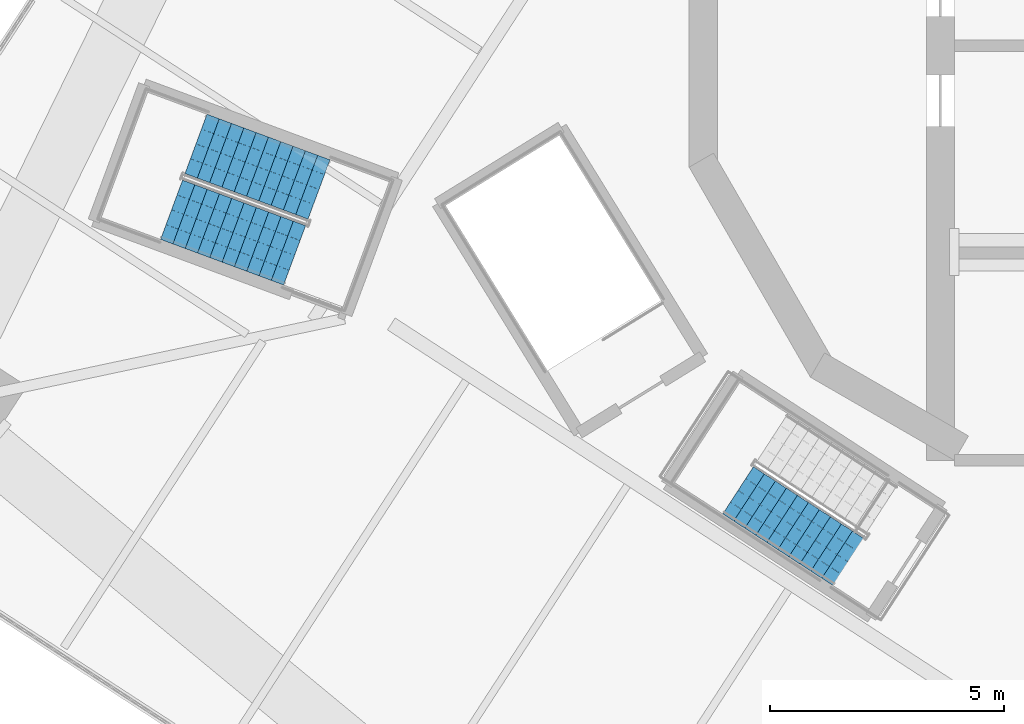
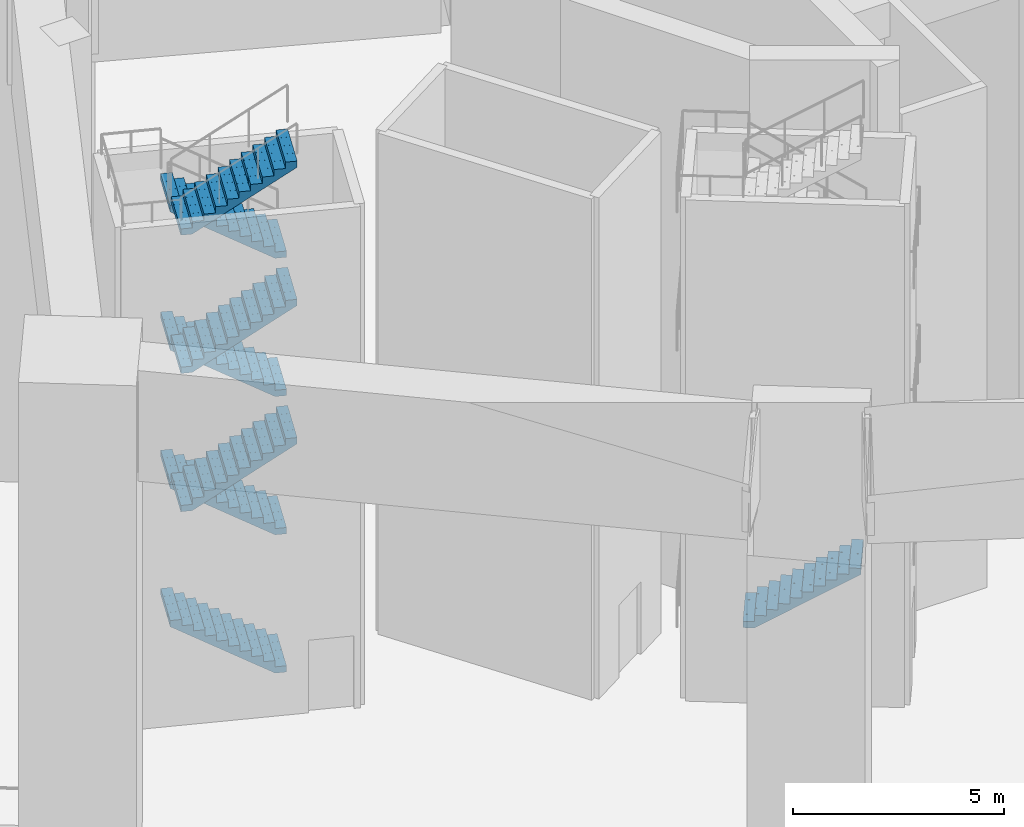
# One storey, part 5 of 16: 8 stair flights, 2 elements without a shape of their own.
"""IFC4 building model written with IfcOpenShell, lengths in metres."""

from ifc_helpers import new_model, si_unit, direction, frame, origin, place, context, subcontext, project, spatial, polyline, outline, extrude, material, type_object, element, aggregate, save


model = new_model("IFC4")

# Units and contexts
model_context = context("Model", 3, precision=1e-05, world=origin(), true_north=direction((0.0, 1.0)))
body_context = subcontext(model_context, "Body", "Model", "MODEL_VIEW")
ifc_project = project(units=[si_unit("LENGTHUNIT", "METRE"), si_unit("AREAUNIT", "SQUARE_METRE"), si_unit("VOLUMEUNIT", "CUBIC_METRE"), si_unit("PLANEANGLEUNIT", "RADIAN"), si_unit("MASSUNIT", "GRAM", prefix="KILO")], contexts=[model_context])

# Site, building, storey
site_placement = place(None, origin())
site = spatial("IfcSite", under=ifc_project, at=site_placement, CompositionType="ELEMENT")
building_placement = place(site_placement, origin())
building = spatial("IfcBuilding", under=site, at=building_placement, Name="Cantera Rosa Tower", CompositionType="ELEMENT")
storey_placement = place(building_placement, frame((0.0, 0.0, 290.10009765625)))
storey = spatial("IfcBuildingStorey", under=building, at=storey_placement, Name="L66", CompositionType="ELEMENT", Elevation=290.10009765625)

# Stair, stair flight
ifc_material_1 = material(Name="Concrete C35/45", Category="concrete")
stair_type_1 = type_object("IfcStairType", Name="EXIT STAIR 1200 DOGLEG", PredefinedType="HALF_TURN_STAIR", material=ifc_material_1)
stair_1_placement = place(storey_placement, origin())
stair_1 = element("IfcStair", 1, at=stair_1_placement, inside=storey, type_object=stair_type_1, Name="L66 ST-64", PredefinedType="HALF_TURN_STAIR")
ifc_material_2 = material(Name="Concrete C35/45", Category="concrete")
stair_flight_type_1 = type_object("IfcStairFlightType", Name="STAIR FLIGHT 1200 R88x182", PredefinedType="STRAIGHT", material=ifc_material_2)
stair_flight_1_placement = place(storey_placement, frame((-8.615966796875, -9.4853515625, 2.0), z_axis=(0.0, 0.0, 1.0), x_axis=(0.838670567945, -0.544639035015, 0.0)))
stair_flight_1 = element("IfcStairFlight", 2, at=stair_flight_1_placement, type_object=stair_flight_type_1, Name="ST-64 flight 2", NumberOfRisers=11, NumberOfTreads=10, PredefinedType="STRAIGHT", RiserHeight=0.181818182, TreadLength=0.28, context=body_context, shape_type="SweptSolid", body=[
    extrude(outline(polyline([(0.0, 0.0), (0.0, 0.181884765625), (0.280029296875, 0.181884765625), (0.280029296875, 0.363525390625), (0.56005859375, 0.363525390625), (0.56005859375, 0.54541015625), (0.840087890625, 0.54541015625), (0.840087890625, 0.727294921875), (1.1201171875, 0.727294921875), (1.1201171875, 0.9091796875), (1.39990234375, 0.9091796875), (1.39990234375, 1.0908203125), (1.679931640625, 1.0908203125), (1.679931640625, 1.272705078125), (1.9599609375, 1.272705078125), (1.9599609375, 1.45458984375), (2.239990234375, 1.45458984375), (2.239990234375, 1.636474609375), (2.52001953125, 1.636474609375), (2.52001953125, 1.818115234375), (2.800048828125, 1.818115234375), (2.800048828125, 2.0), (2.800048828125, 1.639404296875), (0.275146484375, 0.0), (0.0, 0.0)])), frame((0.0, 0.60009765625, 0.0), z_axis=(0.0, -1.0, 0.0), x_axis=(1.0, 0.0, 0.0)), (0.0, 0.0, 1.0), 0.298583984375),
    extrude(outline(polyline([(0.0, 0.0), (0.0, 0.181884765625), (0.280029296875, 0.181884765625), (0.280029296875, 0.363525390625), (0.56005859375, 0.363525390625), (0.56005859375, 0.54541015625), (0.840087890625, 0.54541015625), (0.840087890625, 0.727294921875), (1.1201171875, 0.727294921875), (1.1201171875, 0.9091796875), (1.39990234375, 0.9091796875), (1.39990234375, 1.0908203125), (1.679931640625, 1.0908203125), (1.679931640625, 1.272705078125), (1.9599609375, 1.272705078125), (1.9599609375, 1.45458984375), (2.239990234375, 1.45458984375), (2.239990234375, 1.636474609375), (2.52001953125, 1.636474609375), (2.52001953125, 1.818115234375), (2.800048828125, 1.818115234375), (2.800048828125, 2.0), (2.800048828125, 1.639404296875), (0.275146484375, 0.0), (0.0, 0.0)])), frame((0.0, 0.29931640625, 0.0), z_axis=(0.0, -1.0, 0.0), x_axis=(1.0, 0.0, 0.0)), (0.0, 0.0, 1.0), 0.298583984375),
    extrude(outline(polyline([(0.0, 0.0), (0.0, 0.181884765625), (0.280029296875, 0.181884765625), (0.280029296875, 0.363525390625), (0.56005859375, 0.363525390625), (0.56005859375, 0.54541015625), (0.840087890625, 0.54541015625), (0.840087890625, 0.727294921875), (1.1201171875, 0.727294921875), (1.1201171875, 0.9091796875), (1.39990234375, 0.9091796875), (1.39990234375, 1.0908203125), (1.679931640625, 1.0908203125), (1.679931640625, 1.272705078125), (1.9599609375, 1.272705078125), (1.9599609375, 1.45458984375), (2.239990234375, 1.45458984375), (2.239990234375, 1.636474609375), (2.52001953125, 1.636474609375), (2.52001953125, 1.818115234375), (2.800048828125, 1.818115234375), (2.800048828125, 2.0), (2.800048828125, 1.639404296875), (0.275146484375, 0.0), (0.0, 0.0)])), frame((0.0, -0.0009765625, 0.0), z_axis=(0.0, -1.0, 0.0), x_axis=(1.0, 0.0, 0.0)), (0.0, 0.0, 1.0), 0.298583984375),
    extrude(outline(polyline([(0.0, 0.0), (0.0, 0.181884765625), (0.280029296875, 0.181884765625), (0.280029296875, 0.363525390625), (0.56005859375, 0.363525390625), (0.56005859375, 0.54541015625), (0.840087890625, 0.54541015625), (0.840087890625, 0.727294921875), (1.1201171875, 0.727294921875), (1.1201171875, 0.9091796875), (1.39990234375, 0.9091796875), (1.39990234375, 1.0908203125), (1.679931640625, 1.0908203125), (1.679931640625, 1.272705078125), (1.9599609375, 1.272705078125), (1.9599609375, 1.45458984375), (2.239990234375, 1.45458984375), (2.239990234375, 1.636474609375), (2.52001953125, 1.636474609375), (2.52001953125, 1.818115234375), (2.800048828125, 1.818115234375), (2.800048828125, 2.0), (2.800048828125, 1.639404296875), (0.275146484375, 0.0), (0.0, 0.0)])), frame((0.0, -0.3017578125, 0.0), z_axis=(0.0, -1.0, 0.0), x_axis=(1.0, 0.0, 0.0)), (0.0, 0.0, 1.0), 0.298583984375),
])
aggregate(stair_1, [stair_flight_1])

# Stair, stair flights
ifc_material_3 = material(Name="Concrete C35/45", Category="concrete")
stair_type_2 = type_object("IfcStairType", Name="EXIT STAIR 1350 DOGLEG", PredefinedType="HALF_TURN_STAIR", material=ifc_material_3)
stair_2_placement = place(storey_placement, origin())
stair_2 = element("IfcStair", 3, at=stair_2_placement, inside=storey, type_object=stair_type_2, Name="L66 ST-63", PredefinedType="HALF_TURN_STAIR")
ifc_material_4 = material(Name="Concrete C35/45", Category="concrete")
stair_flight_type_2 = type_object("IfcStairFlightType", Name="STAIR FLIGHT 1350 R88x182", PredefinedType="STRAIGHT", material=ifc_material_4)
stair_flight_2_placement = place(storey_placement, frame((-17.55908203125, -3.064453125, 0.0), z_axis=(0.0, 0.0, 1.0), x_axis=(-0.937686938944, 0.347481229039, 0.0)))
stair_flight_2 = element("IfcStairFlight", 4, at=stair_flight_2_placement, type_object=stair_flight_type_2, Name="ST-63 flight 1", NumberOfRisers=11, NumberOfTreads=10, PredefinedType="STRAIGHT", RiserHeight=0.181818182, TreadLength=0.28, context=body_context, shape_type="SweptSolid", body=[
    extrude(outline(polyline([(0.0, 0.0), (0.0, 0.181884765625), (0.280029296875, 0.181884765625), (0.280029296875, 0.363525390625), (0.56005859375, 0.363525390625), (0.56005859375, 0.54541015625), (0.840087890625, 0.54541015625), (0.840087890625, 0.727294921875), (1.1201171875, 0.727294921875), (1.1201171875, 0.9091796875), (1.39990234375, 0.9091796875), (1.39990234375, 1.0908203125), (1.679931640625, 1.0908203125), (1.679931640625, 1.272705078125), (1.9599609375, 1.272705078125), (1.9599609375, 1.45458984375), (2.239990234375, 1.45458984375), (2.239990234375, 1.636474609375), (2.52001953125, 1.636474609375), (2.52001953125, 1.818115234375), (2.800048828125, 1.818115234375), (2.800048828125, 2.0), (2.800048828125, 1.639404296875), (0.275146484375, 0.0), (0.0, 0.0)])), frame((0.0, 0.675048828125, 0.0), z_axis=(0.0, -1.0, 0.0), x_axis=(1.0, 0.0, 0.0)), (0.0, 0.0, 1.0), 0.3359375),
    extrude(outline(polyline([(0.0, 0.0), (0.0, 0.181884765625), (0.280029296875, 0.181884765625), (0.280029296875, 0.363525390625), (0.56005859375, 0.363525390625), (0.56005859375, 0.54541015625), (0.840087890625, 0.54541015625), (0.840087890625, 0.727294921875), (1.1201171875, 0.727294921875), (1.1201171875, 0.9091796875), (1.39990234375, 0.9091796875), (1.39990234375, 1.0908203125), (1.679931640625, 1.0908203125), (1.679931640625, 1.272705078125), (1.9599609375, 1.272705078125), (1.9599609375, 1.45458984375), (2.239990234375, 1.45458984375), (2.239990234375, 1.636474609375), (2.52001953125, 1.636474609375), (2.52001953125, 1.818115234375), (2.800048828125, 1.818115234375), (2.800048828125, 2.0), (2.800048828125, 1.639404296875), (0.275146484375, 0.0), (0.0, 0.0)])), frame((0.0, 0.337158203125, 0.0), z_axis=(0.0, -1.0, 0.0), x_axis=(1.0, 0.0, 0.0)), (0.0, 0.0, 1.0), 0.3359375),
    extrude(outline(polyline([(0.0, 0.0), (0.0, 0.181884765625), (0.280029296875, 0.181884765625), (0.280029296875, 0.363525390625), (0.56005859375, 0.363525390625), (0.56005859375, 0.54541015625), (0.840087890625, 0.54541015625), (0.840087890625, 0.727294921875), (1.1201171875, 0.727294921875), (1.1201171875, 0.9091796875), (1.39990234375, 0.9091796875), (1.39990234375, 1.0908203125), (1.679931640625, 1.0908203125), (1.679931640625, 1.272705078125), (1.9599609375, 1.272705078125), (1.9599609375, 1.45458984375), (2.239990234375, 1.45458984375), (2.239990234375, 1.636474609375), (2.52001953125, 1.636474609375), (2.52001953125, 1.818115234375), (2.800048828125, 1.818115234375), (2.800048828125, 2.0), (2.800048828125, 1.639404296875), (0.275146484375, 0.0), (0.0, 0.0)])), frame((0.0, -0.000732421875, 0.0), z_axis=(0.0, -1.0, 0.0), x_axis=(1.0, 0.0, 0.0)), (0.0, 0.0, 1.0), 0.3359375),
    extrude(outline(polyline([(0.0, 0.0), (0.0, 0.181884765625), (0.280029296875, 0.181884765625), (0.280029296875, 0.363525390625), (0.56005859375, 0.363525390625), (0.56005859375, 0.54541015625), (0.840087890625, 0.54541015625), (0.840087890625, 0.727294921875), (1.1201171875, 0.727294921875), (1.1201171875, 0.9091796875), (1.39990234375, 0.9091796875), (1.39990234375, 1.0908203125), (1.679931640625, 1.0908203125), (1.679931640625, 1.272705078125), (1.9599609375, 1.272705078125), (1.9599609375, 1.45458984375), (2.239990234375, 1.45458984375), (2.239990234375, 1.636474609375), (2.52001953125, 1.636474609375), (2.52001953125, 1.818115234375), (2.800048828125, 1.818115234375), (2.800048828125, 2.0), (2.800048828125, 1.639404296875), (0.275146484375, 0.0), (0.0, 0.0)])), frame((0.0, -0.338623046875, 0.0), z_axis=(0.0, -1.0, 0.0), x_axis=(1.0, 0.0, 0.0)), (0.0, 0.0, 1.0), 0.3359375),
])
stair_flight_3_placement = place(storey_placement, frame((-17.55908203125, -3.064453125, 4.0), z_axis=(0.0, 0.0, 1.0), x_axis=(-0.937686938944, 0.347481229039, 0.0)))
stair_flight_3 = element("IfcStairFlight", 5, at=stair_flight_3_placement, type_object=stair_flight_type_2, Name="ST-63 flight 3", NumberOfRisers=11, NumberOfTreads=10, PredefinedType="STRAIGHT", RiserHeight=0.181818182, TreadLength=0.28, context=body_context, shape_type="SweptSolid", body=[
    extrude(outline(polyline([(0.0, 0.0), (0.0, 0.181884765625), (0.280029296875, 0.181884765625), (0.280029296875, 0.363525390625), (0.56005859375, 0.363525390625), (0.56005859375, 0.54541015625), (0.840087890625, 0.54541015625), (0.840087890625, 0.727294921875), (1.1201171875, 0.727294921875), (1.1201171875, 0.9091796875), (1.39990234375, 0.9091796875), (1.39990234375, 1.0908203125), (1.679931640625, 1.0908203125), (1.679931640625, 1.272705078125), (1.9599609375, 1.272705078125), (1.9599609375, 1.45458984375), (2.239990234375, 1.45458984375), (2.239990234375, 1.636474609375), (2.52001953125, 1.636474609375), (2.52001953125, 1.818115234375), (2.800048828125, 1.818115234375), (2.800048828125, 2.0), (2.800048828125, 1.639404296875), (0.275146484375, 0.0), (0.0, 0.0)])), frame((0.0, 0.675048828125, 0.0), z_axis=(0.0, -1.0, 0.0), x_axis=(1.0, 0.0, 0.0)), (0.0, 0.0, 1.0), 0.3359375),
    extrude(outline(polyline([(0.0, 0.0), (0.0, 0.181884765625), (0.280029296875, 0.181884765625), (0.280029296875, 0.363525390625), (0.56005859375, 0.363525390625), (0.56005859375, 0.54541015625), (0.840087890625, 0.54541015625), (0.840087890625, 0.727294921875), (1.1201171875, 0.727294921875), (1.1201171875, 0.9091796875), (1.39990234375, 0.9091796875), (1.39990234375, 1.0908203125), (1.679931640625, 1.0908203125), (1.679931640625, 1.272705078125), (1.9599609375, 1.272705078125), (1.9599609375, 1.45458984375), (2.239990234375, 1.45458984375), (2.239990234375, 1.636474609375), (2.52001953125, 1.636474609375), (2.52001953125, 1.818115234375), (2.800048828125, 1.818115234375), (2.800048828125, 2.0), (2.800048828125, 1.639404296875), (0.275146484375, 0.0), (0.0, 0.0)])), frame((0.0, 0.337158203125, 0.0), z_axis=(0.0, -1.0, 0.0), x_axis=(1.0, 0.0, 0.0)), (0.0, 0.0, 1.0), 0.3359375),
    extrude(outline(polyline([(0.0, 0.0), (0.0, 0.181884765625), (0.280029296875, 0.181884765625), (0.280029296875, 0.363525390625), (0.56005859375, 0.363525390625), (0.56005859375, 0.54541015625), (0.840087890625, 0.54541015625), (0.840087890625, 0.727294921875), (1.1201171875, 0.727294921875), (1.1201171875, 0.9091796875), (1.39990234375, 0.9091796875), (1.39990234375, 1.0908203125), (1.679931640625, 1.0908203125), (1.679931640625, 1.272705078125), (1.9599609375, 1.272705078125), (1.9599609375, 1.45458984375), (2.239990234375, 1.45458984375), (2.239990234375, 1.636474609375), (2.52001953125, 1.636474609375), (2.52001953125, 1.818115234375), (2.800048828125, 1.818115234375), (2.800048828125, 2.0), (2.800048828125, 1.639404296875), (0.275146484375, 0.0), (0.0, 0.0)])), frame((0.0, -0.000732421875, 0.0), z_axis=(0.0, -1.0, 0.0), x_axis=(1.0, 0.0, 0.0)), (0.0, 0.0, 1.0), 0.3359375),
    extrude(outline(polyline([(0.0, 0.0), (0.0, 0.181884765625), (0.280029296875, 0.181884765625), (0.280029296875, 0.363525390625), (0.56005859375, 0.363525390625), (0.56005859375, 0.54541015625), (0.840087890625, 0.54541015625), (0.840087890625, 0.727294921875), (1.1201171875, 0.727294921875), (1.1201171875, 0.9091796875), (1.39990234375, 0.9091796875), (1.39990234375, 1.0908203125), (1.679931640625, 1.0908203125), (1.679931640625, 1.272705078125), (1.9599609375, 1.272705078125), (1.9599609375, 1.45458984375), (2.239990234375, 1.45458984375), (2.239990234375, 1.636474609375), (2.52001953125, 1.636474609375), (2.52001953125, 1.818115234375), (2.800048828125, 1.818115234375), (2.800048828125, 2.0), (2.800048828125, 1.639404296875), (0.275146484375, 0.0), (0.0, 0.0)])), frame((0.0, -0.338623046875, 0.0), z_axis=(0.0, -1.0, 0.0), x_axis=(1.0, 0.0, 0.0)), (0.0, 0.0, 1.0), 0.3359375),
])
stair_flight_4_placement = place(storey_placement, frame((-20.705810546875, -3.498046875, 6.0), z_axis=(0.0, 0.0, 1.0), x_axis=(0.937686938944, -0.347481229039, 0.0)))
stair_flight_4 = element("IfcStairFlight", 6, at=stair_flight_4_placement, type_object=stair_flight_type_2, Name="ST-63 flight 4", NumberOfRisers=11, NumberOfTreads=10, PredefinedType="STRAIGHT", RiserHeight=0.181818182, TreadLength=0.28, context=body_context, shape_type="SweptSolid", body=[
    extrude(outline(polyline([(0.0, 0.0), (0.0, 0.181884765625), (0.280029296875, 0.181884765625), (0.280029296875, 0.363525390625), (0.56005859375, 0.363525390625), (0.56005859375, 0.54541015625), (0.840087890625, 0.54541015625), (0.840087890625, 0.727294921875), (1.1201171875, 0.727294921875), (1.1201171875, 0.9091796875), (1.39990234375, 0.9091796875), (1.39990234375, 1.0908203125), (1.679931640625, 1.0908203125), (1.679931640625, 1.272705078125), (1.9599609375, 1.272705078125), (1.9599609375, 1.45458984375), (2.239990234375, 1.45458984375), (2.239990234375, 1.636474609375), (2.52001953125, 1.636474609375), (2.52001953125, 1.818115234375), (2.800048828125, 1.818115234375), (2.800048828125, 2.0), (2.800048828125, 1.639404296875), (0.275146484375, 0.0), (0.0, 0.0)])), frame((0.0, 0.675048828125, 0.0), z_axis=(0.0, -1.0, 0.0), x_axis=(1.0, 0.0, 0.0)), (0.0, 0.0, 1.0), 0.3359375),
    extrude(outline(polyline([(0.0, 0.0), (0.0, 0.181884765625), (0.280029296875, 0.181884765625), (0.280029296875, 0.363525390625), (0.56005859375, 0.363525390625), (0.56005859375, 0.54541015625), (0.840087890625, 0.54541015625), (0.840087890625, 0.727294921875), (1.1201171875, 0.727294921875), (1.1201171875, 0.9091796875), (1.39990234375, 0.9091796875), (1.39990234375, 1.0908203125), (1.679931640625, 1.0908203125), (1.679931640625, 1.272705078125), (1.9599609375, 1.272705078125), (1.9599609375, 1.45458984375), (2.239990234375, 1.45458984375), (2.239990234375, 1.636474609375), (2.52001953125, 1.636474609375), (2.52001953125, 1.818115234375), (2.800048828125, 1.818115234375), (2.800048828125, 2.0), (2.800048828125, 1.639404296875), (0.275146484375, 0.0), (0.0, 0.0)])), frame((0.0, 0.337158203125, 0.0), z_axis=(0.0, -1.0, 0.0), x_axis=(1.0, 0.0, 0.0)), (0.0, 0.0, 1.0), 0.3359375),
    extrude(outline(polyline([(0.0, 0.0), (0.0, 0.181884765625), (0.280029296875, 0.181884765625), (0.280029296875, 0.363525390625), (0.56005859375, 0.363525390625), (0.56005859375, 0.54541015625), (0.840087890625, 0.54541015625), (0.840087890625, 0.727294921875), (1.1201171875, 0.727294921875), (1.1201171875, 0.9091796875), (1.39990234375, 0.9091796875), (1.39990234375, 1.0908203125), (1.679931640625, 1.0908203125), (1.679931640625, 1.272705078125), (1.9599609375, 1.272705078125), (1.9599609375, 1.45458984375), (2.239990234375, 1.45458984375), (2.239990234375, 1.636474609375), (2.52001953125, 1.636474609375), (2.52001953125, 1.818115234375), (2.800048828125, 1.818115234375), (2.800048828125, 2.0), (2.800048828125, 1.639404296875), (0.275146484375, 0.0), (0.0, 0.0)])), frame((0.0, -0.000732421875, 0.0), z_axis=(0.0, -1.0, 0.0), x_axis=(1.0, 0.0, 0.0)), (0.0, 0.0, 1.0), 0.3359375),
    extrude(outline(polyline([(0.0, 0.0), (0.0, 0.181884765625), (0.280029296875, 0.181884765625), (0.280029296875, 0.363525390625), (0.56005859375, 0.363525390625), (0.56005859375, 0.54541015625), (0.840087890625, 0.54541015625), (0.840087890625, 0.727294921875), (1.1201171875, 0.727294921875), (1.1201171875, 0.9091796875), (1.39990234375, 0.9091796875), (1.39990234375, 1.0908203125), (1.679931640625, 1.0908203125), (1.679931640625, 1.272705078125), (1.9599609375, 1.272705078125), (1.9599609375, 1.45458984375), (2.239990234375, 1.45458984375), (2.239990234375, 1.636474609375), (2.52001953125, 1.636474609375), (2.52001953125, 1.818115234375), (2.800048828125, 1.818115234375), (2.800048828125, 2.0), (2.800048828125, 1.639404296875), (0.275146484375, 0.0), (0.0, 0.0)])), frame((0.0, -0.338623046875, 0.0), z_axis=(0.0, -1.0, 0.0), x_axis=(1.0, 0.0, 0.0)), (0.0, 0.0, 1.0), 0.3359375),
])
stair_flight_5_placement = place(storey_placement, frame((-17.55908203125, -3.064453125, 8.0), z_axis=(0.0, 0.0, 1.0), x_axis=(-0.937686938944, 0.347481229039, 0.0)))
stair_flight_5 = element("IfcStairFlight", 7, at=stair_flight_5_placement, type_object=stair_flight_type_2, Name="ST-63 flight 5", NumberOfRisers=11, NumberOfTreads=10, PredefinedType="STRAIGHT", RiserHeight=0.181818182, TreadLength=0.28, context=body_context, shape_type="SweptSolid", body=[
    extrude(outline(polyline([(0.0, 0.0), (0.0, 0.181884765625), (0.280029296875, 0.181884765625), (0.280029296875, 0.363525390625), (0.56005859375, 0.363525390625), (0.56005859375, 0.54541015625), (0.840087890625, 0.54541015625), (0.840087890625, 0.727294921875), (1.1201171875, 0.727294921875), (1.1201171875, 0.9091796875), (1.39990234375, 0.9091796875), (1.39990234375, 1.0908203125), (1.679931640625, 1.0908203125), (1.679931640625, 1.272705078125), (1.9599609375, 1.272705078125), (1.9599609375, 1.45458984375), (2.239990234375, 1.45458984375), (2.239990234375, 1.636474609375), (2.52001953125, 1.636474609375), (2.52001953125, 1.818115234375), (2.800048828125, 1.818115234375), (2.800048828125, 2.0), (2.800048828125, 1.639404296875), (0.275146484375, 0.0), (0.0, 0.0)])), frame((0.0, 0.675048828125, 0.0), z_axis=(0.0, -1.0, 0.0), x_axis=(1.0, 0.0, 0.0)), (0.0, 0.0, 1.0), 0.3359375),
    extrude(outline(polyline([(0.0, 0.0), (0.0, 0.181884765625), (0.280029296875, 0.181884765625), (0.280029296875, 0.363525390625), (0.56005859375, 0.363525390625), (0.56005859375, 0.54541015625), (0.840087890625, 0.54541015625), (0.840087890625, 0.727294921875), (1.1201171875, 0.727294921875), (1.1201171875, 0.9091796875), (1.39990234375, 0.9091796875), (1.39990234375, 1.0908203125), (1.679931640625, 1.0908203125), (1.679931640625, 1.272705078125), (1.9599609375, 1.272705078125), (1.9599609375, 1.45458984375), (2.239990234375, 1.45458984375), (2.239990234375, 1.636474609375), (2.52001953125, 1.636474609375), (2.52001953125, 1.818115234375), (2.800048828125, 1.818115234375), (2.800048828125, 2.0), (2.800048828125, 1.639404296875), (0.275146484375, 0.0), (0.0, 0.0)])), frame((0.0, 0.337158203125, 0.0), z_axis=(0.0, -1.0, 0.0), x_axis=(1.0, 0.0, 0.0)), (0.0, 0.0, 1.0), 0.3359375),
    extrude(outline(polyline([(0.0, 0.0), (0.0, 0.181884765625), (0.280029296875, 0.181884765625), (0.280029296875, 0.363525390625), (0.56005859375, 0.363525390625), (0.56005859375, 0.54541015625), (0.840087890625, 0.54541015625), (0.840087890625, 0.727294921875), (1.1201171875, 0.727294921875), (1.1201171875, 0.9091796875), (1.39990234375, 0.9091796875), (1.39990234375, 1.0908203125), (1.679931640625, 1.0908203125), (1.679931640625, 1.272705078125), (1.9599609375, 1.272705078125), (1.9599609375, 1.45458984375), (2.239990234375, 1.45458984375), (2.239990234375, 1.636474609375), (2.52001953125, 1.636474609375), (2.52001953125, 1.818115234375), (2.800048828125, 1.818115234375), (2.800048828125, 2.0), (2.800048828125, 1.639404296875), (0.275146484375, 0.0), (0.0, 0.0)])), frame((0.0, -0.000732421875, 0.0), z_axis=(0.0, -1.0, 0.0), x_axis=(1.0, 0.0, 0.0)), (0.0, 0.0, 1.0), 0.3359375),
    extrude(outline(polyline([(0.0, 0.0), (0.0, 0.181884765625), (0.280029296875, 0.181884765625), (0.280029296875, 0.363525390625), (0.56005859375, 0.363525390625), (0.56005859375, 0.54541015625), (0.840087890625, 0.54541015625), (0.840087890625, 0.727294921875), (1.1201171875, 0.727294921875), (1.1201171875, 0.9091796875), (1.39990234375, 0.9091796875), (1.39990234375, 1.0908203125), (1.679931640625, 1.0908203125), (1.679931640625, 1.272705078125), (1.9599609375, 1.272705078125), (1.9599609375, 1.45458984375), (2.239990234375, 1.45458984375), (2.239990234375, 1.636474609375), (2.52001953125, 1.636474609375), (2.52001953125, 1.818115234375), (2.800048828125, 1.818115234375), (2.800048828125, 2.0), (2.800048828125, 1.639404296875), (0.275146484375, 0.0), (0.0, 0.0)])), frame((0.0, -0.338623046875, 0.0), z_axis=(0.0, -1.0, 0.0), x_axis=(1.0, 0.0, 0.0)), (0.0, 0.0, 1.0), 0.3359375),
])
stair_flight_6_placement = place(storey_placement, frame((-20.705810546875, -3.498046875, 10.0), z_axis=(0.0, 0.0, 1.0), x_axis=(0.937686938944, -0.347481229039, 0.0)))
stair_flight_6 = element("IfcStairFlight", 8, at=stair_flight_6_placement, type_object=stair_flight_type_2, Name="ST-63 flight 6", NumberOfRisers=11, NumberOfTreads=10, PredefinedType="STRAIGHT", RiserHeight=0.181818182, TreadLength=0.28, context=body_context, shape_type="SweptSolid", body=[
    extrude(outline(polyline([(0.0, 0.0), (0.0, 0.181884765625), (0.280029296875, 0.181884765625), (0.280029296875, 0.363525390625), (0.56005859375, 0.363525390625), (0.56005859375, 0.54541015625), (0.840087890625, 0.54541015625), (0.840087890625, 0.727294921875), (1.1201171875, 0.727294921875), (1.1201171875, 0.9091796875), (1.39990234375, 0.9091796875), (1.39990234375, 1.0908203125), (1.679931640625, 1.0908203125), (1.679931640625, 1.272705078125), (1.9599609375, 1.272705078125), (1.9599609375, 1.45458984375), (2.239990234375, 1.45458984375), (2.239990234375, 1.636474609375), (2.52001953125, 1.636474609375), (2.52001953125, 1.818115234375), (2.800048828125, 1.818115234375), (2.800048828125, 2.0), (2.800048828125, 1.639404296875), (0.275146484375, 0.0), (0.0, 0.0)])), frame((0.0, 0.675048828125, 0.0), z_axis=(0.0, -1.0, 0.0), x_axis=(1.0, 0.0, 0.0)), (0.0, 0.0, 1.0), 0.3359375),
    extrude(outline(polyline([(0.0, 0.0), (0.0, 0.181884765625), (0.280029296875, 0.181884765625), (0.280029296875, 0.363525390625), (0.56005859375, 0.363525390625), (0.56005859375, 0.54541015625), (0.840087890625, 0.54541015625), (0.840087890625, 0.727294921875), (1.1201171875, 0.727294921875), (1.1201171875, 0.9091796875), (1.39990234375, 0.9091796875), (1.39990234375, 1.0908203125), (1.679931640625, 1.0908203125), (1.679931640625, 1.272705078125), (1.9599609375, 1.272705078125), (1.9599609375, 1.45458984375), (2.239990234375, 1.45458984375), (2.239990234375, 1.636474609375), (2.52001953125, 1.636474609375), (2.52001953125, 1.818115234375), (2.800048828125, 1.818115234375), (2.800048828125, 2.0), (2.800048828125, 1.639404296875), (0.275146484375, 0.0), (0.0, 0.0)])), frame((0.0, 0.337158203125, 0.0), z_axis=(0.0, -1.0, 0.0), x_axis=(1.0, 0.0, 0.0)), (0.0, 0.0, 1.0), 0.3359375),
    extrude(outline(polyline([(0.0, 0.0), (0.0, 0.181884765625), (0.280029296875, 0.181884765625), (0.280029296875, 0.363525390625), (0.56005859375, 0.363525390625), (0.56005859375, 0.54541015625), (0.840087890625, 0.54541015625), (0.840087890625, 0.727294921875), (1.1201171875, 0.727294921875), (1.1201171875, 0.9091796875), (1.39990234375, 0.9091796875), (1.39990234375, 1.0908203125), (1.679931640625, 1.0908203125), (1.679931640625, 1.272705078125), (1.9599609375, 1.272705078125), (1.9599609375, 1.45458984375), (2.239990234375, 1.45458984375), (2.239990234375, 1.636474609375), (2.52001953125, 1.636474609375), (2.52001953125, 1.818115234375), (2.800048828125, 1.818115234375), (2.800048828125, 2.0), (2.800048828125, 1.639404296875), (0.275146484375, 0.0), (0.0, 0.0)])), frame((0.0, -0.000732421875, 0.0), z_axis=(0.0, -1.0, 0.0), x_axis=(1.0, 0.0, 0.0)), (0.0, 0.0, 1.0), 0.3359375),
    extrude(outline(polyline([(0.0, 0.0), (0.0, 0.181884765625), (0.280029296875, 0.181884765625), (0.280029296875, 0.363525390625), (0.56005859375, 0.363525390625), (0.56005859375, 0.54541015625), (0.840087890625, 0.54541015625), (0.840087890625, 0.727294921875), (1.1201171875, 0.727294921875), (1.1201171875, 0.9091796875), (1.39990234375, 0.9091796875), (1.39990234375, 1.0908203125), (1.679931640625, 1.0908203125), (1.679931640625, 1.272705078125), (1.9599609375, 1.272705078125), (1.9599609375, 1.45458984375), (2.239990234375, 1.45458984375), (2.239990234375, 1.636474609375), (2.52001953125, 1.636474609375), (2.52001953125, 1.818115234375), (2.800048828125, 1.818115234375), (2.800048828125, 2.0), (2.800048828125, 1.639404296875), (0.275146484375, 0.0), (0.0, 0.0)])), frame((0.0, -0.338623046875, 0.0), z_axis=(0.0, -1.0, 0.0), x_axis=(1.0, 0.0, 0.0)), (0.0, 0.0, 1.0), 0.3359375),
])
stair_flight_7_placement = place(storey_placement, frame((-17.55908203125, -3.064453125, 12.0), z_axis=(0.0, 0.0, 1.0), x_axis=(-0.937686938944, 0.347481229039, 0.0)))
stair_flight_7 = element("IfcStairFlight", 9, at=stair_flight_7_placement, type_object=stair_flight_type_2, Name="ST-63 flight 7", NumberOfRisers=11, NumberOfTreads=10, PredefinedType="STRAIGHT", RiserHeight=0.181818182, TreadLength=0.28, context=body_context, shape_type="SweptSolid", body=[
    extrude(outline(polyline([(0.0, 0.0), (0.0, 0.181884765625), (0.280029296875, 0.181884765625), (0.280029296875, 0.363525390625), (0.56005859375, 0.363525390625), (0.56005859375, 0.54541015625), (0.840087890625, 0.54541015625), (0.840087890625, 0.727294921875), (1.1201171875, 0.727294921875), (1.1201171875, 0.9091796875), (1.39990234375, 0.9091796875), (1.39990234375, 1.0908203125), (1.679931640625, 1.0908203125), (1.679931640625, 1.272705078125), (1.9599609375, 1.272705078125), (1.9599609375, 1.45458984375), (2.239990234375, 1.45458984375), (2.239990234375, 1.636474609375), (2.52001953125, 1.636474609375), (2.52001953125, 1.818115234375), (2.800048828125, 1.818115234375), (2.800048828125, 2.0), (2.800048828125, 1.639404296875), (0.275146484375, 0.0), (0.0, 0.0)])), frame((0.0, 0.675048828125, 0.0), z_axis=(0.0, -1.0, 0.0), x_axis=(1.0, 0.0, 0.0)), (0.0, 0.0, 1.0), 0.3359375),
    extrude(outline(polyline([(0.0, 0.0), (0.0, 0.181884765625), (0.280029296875, 0.181884765625), (0.280029296875, 0.363525390625), (0.56005859375, 0.363525390625), (0.56005859375, 0.54541015625), (0.840087890625, 0.54541015625), (0.840087890625, 0.727294921875), (1.1201171875, 0.727294921875), (1.1201171875, 0.9091796875), (1.39990234375, 0.9091796875), (1.39990234375, 1.0908203125), (1.679931640625, 1.0908203125), (1.679931640625, 1.272705078125), (1.9599609375, 1.272705078125), (1.9599609375, 1.45458984375), (2.239990234375, 1.45458984375), (2.239990234375, 1.636474609375), (2.52001953125, 1.636474609375), (2.52001953125, 1.818115234375), (2.800048828125, 1.818115234375), (2.800048828125, 2.0), (2.800048828125, 1.639404296875), (0.275146484375, 0.0), (0.0, 0.0)])), frame((0.0, 0.337158203125, 0.0), z_axis=(0.0, -1.0, 0.0), x_axis=(1.0, 0.0, 0.0)), (0.0, 0.0, 1.0), 0.3359375),
    extrude(outline(polyline([(0.0, 0.0), (0.0, 0.181884765625), (0.280029296875, 0.181884765625), (0.280029296875, 0.363525390625), (0.56005859375, 0.363525390625), (0.56005859375, 0.54541015625), (0.840087890625, 0.54541015625), (0.840087890625, 0.727294921875), (1.1201171875, 0.727294921875), (1.1201171875, 0.9091796875), (1.39990234375, 0.9091796875), (1.39990234375, 1.0908203125), (1.679931640625, 1.0908203125), (1.679931640625, 1.272705078125), (1.9599609375, 1.272705078125), (1.9599609375, 1.45458984375), (2.239990234375, 1.45458984375), (2.239990234375, 1.636474609375), (2.52001953125, 1.636474609375), (2.52001953125, 1.818115234375), (2.800048828125, 1.818115234375), (2.800048828125, 2.0), (2.800048828125, 1.639404296875), (0.275146484375, 0.0), (0.0, 0.0)])), frame((0.0, -0.000732421875, 0.0), z_axis=(0.0, -1.0, 0.0), x_axis=(1.0, 0.0, 0.0)), (0.0, 0.0, 1.0), 0.3359375),
    extrude(outline(polyline([(0.0, 0.0), (0.0, 0.181884765625), (0.280029296875, 0.181884765625), (0.280029296875, 0.363525390625), (0.56005859375, 0.363525390625), (0.56005859375, 0.54541015625), (0.840087890625, 0.54541015625), (0.840087890625, 0.727294921875), (1.1201171875, 0.727294921875), (1.1201171875, 0.9091796875), (1.39990234375, 0.9091796875), (1.39990234375, 1.0908203125), (1.679931640625, 1.0908203125), (1.679931640625, 1.272705078125), (1.9599609375, 1.272705078125), (1.9599609375, 1.45458984375), (2.239990234375, 1.45458984375), (2.239990234375, 1.636474609375), (2.52001953125, 1.636474609375), (2.52001953125, 1.818115234375), (2.800048828125, 1.818115234375), (2.800048828125, 2.0), (2.800048828125, 1.639404296875), (0.275146484375, 0.0), (0.0, 0.0)])), frame((0.0, -0.338623046875, 0.0), z_axis=(0.0, -1.0, 0.0), x_axis=(1.0, 0.0, 0.0)), (0.0, 0.0, 1.0), 0.3359375),
])
stair_flight_8_placement = place(storey_placement, frame((-20.705810546875, -3.498046875, 14.0), z_axis=(0.0, 0.0, 1.0), x_axis=(0.937686938944, -0.347481229039, 0.0)))
stair_flight_8 = element("IfcStairFlight", 10, at=stair_flight_8_placement, type_object=stair_flight_type_2, Name="ST-63 flight 8", NumberOfRisers=11, NumberOfTreads=10, PredefinedType="STRAIGHT", RiserHeight=0.181818182, TreadLength=0.28, context=body_context, shape_type="SweptSolid", body=[
    extrude(outline(polyline([(0.0, 0.0), (0.0, 0.181884765625), (0.280029296875, 0.181884765625), (0.280029296875, 0.363525390625), (0.56005859375, 0.363525390625), (0.56005859375, 0.54541015625), (0.840087890625, 0.54541015625), (0.840087890625, 0.727294921875), (1.1201171875, 0.727294921875), (1.1201171875, 0.9091796875), (1.39990234375, 0.9091796875), (1.39990234375, 1.0908203125), (1.679931640625, 1.0908203125), (1.679931640625, 1.272705078125), (1.9599609375, 1.272705078125), (1.9599609375, 1.45458984375), (2.239990234375, 1.45458984375), (2.239990234375, 1.636474609375), (2.52001953125, 1.636474609375), (2.52001953125, 1.818115234375), (2.800048828125, 1.818115234375), (2.800048828125, 2.0), (2.800048828125, 1.639404296875), (0.275146484375, 0.0), (0.0, 0.0)])), frame((0.0, 0.675048828125, 0.0), z_axis=(0.0, -1.0, 0.0), x_axis=(1.0, 0.0, 0.0)), (0.0, 0.0, 1.0), 0.3359375),
    extrude(outline(polyline([(0.0, 0.0), (0.0, 0.181884765625), (0.280029296875, 0.181884765625), (0.280029296875, 0.363525390625), (0.56005859375, 0.363525390625), (0.56005859375, 0.54541015625), (0.840087890625, 0.54541015625), (0.840087890625, 0.727294921875), (1.1201171875, 0.727294921875), (1.1201171875, 0.9091796875), (1.39990234375, 0.9091796875), (1.39990234375, 1.0908203125), (1.679931640625, 1.0908203125), (1.679931640625, 1.272705078125), (1.9599609375, 1.272705078125), (1.9599609375, 1.45458984375), (2.239990234375, 1.45458984375), (2.239990234375, 1.636474609375), (2.52001953125, 1.636474609375), (2.52001953125, 1.818115234375), (2.800048828125, 1.818115234375), (2.800048828125, 2.0), (2.800048828125, 1.639404296875), (0.275146484375, 0.0), (0.0, 0.0)])), frame((0.0, 0.337158203125, 0.0), z_axis=(0.0, -1.0, 0.0), x_axis=(1.0, 0.0, 0.0)), (0.0, 0.0, 1.0), 0.3359375),
    extrude(outline(polyline([(0.0, 0.0), (0.0, 0.181884765625), (0.280029296875, 0.181884765625), (0.280029296875, 0.363525390625), (0.56005859375, 0.363525390625), (0.56005859375, 0.54541015625), (0.840087890625, 0.54541015625), (0.840087890625, 0.727294921875), (1.1201171875, 0.727294921875), (1.1201171875, 0.9091796875), (1.39990234375, 0.9091796875), (1.39990234375, 1.0908203125), (1.679931640625, 1.0908203125), (1.679931640625, 1.272705078125), (1.9599609375, 1.272705078125), (1.9599609375, 1.45458984375), (2.239990234375, 1.45458984375), (2.239990234375, 1.636474609375), (2.52001953125, 1.636474609375), (2.52001953125, 1.818115234375), (2.800048828125, 1.818115234375), (2.800048828125, 2.0), (2.800048828125, 1.639404296875), (0.275146484375, 0.0), (0.0, 0.0)])), frame((0.0, -0.000732421875, 0.0), z_axis=(0.0, -1.0, 0.0), x_axis=(1.0, 0.0, 0.0)), (0.0, 0.0, 1.0), 0.3359375),
    extrude(outline(polyline([(0.0, 0.0), (0.0, 0.181884765625), (0.280029296875, 0.181884765625), (0.280029296875, 0.363525390625), (0.56005859375, 0.363525390625), (0.56005859375, 0.54541015625), (0.840087890625, 0.54541015625), (0.840087890625, 0.727294921875), (1.1201171875, 0.727294921875), (1.1201171875, 0.9091796875), (1.39990234375, 0.9091796875), (1.39990234375, 1.0908203125), (1.679931640625, 1.0908203125), (1.679931640625, 1.272705078125), (1.9599609375, 1.272705078125), (1.9599609375, 1.45458984375), (2.239990234375, 1.45458984375), (2.239990234375, 1.636474609375), (2.52001953125, 1.636474609375), (2.52001953125, 1.818115234375), (2.800048828125, 1.818115234375), (2.800048828125, 2.0), (2.800048828125, 1.639404296875), (0.275146484375, 0.0), (0.0, 0.0)])), frame((0.0, -0.338623046875, 0.0), z_axis=(0.0, -1.0, 0.0), x_axis=(1.0, 0.0, 0.0)), (0.0, 0.0, 1.0), 0.3359375),
])
aggregate(stair_2, [stair_flight_2, stair_flight_3, stair_flight_4, stair_flight_5, stair_flight_6, stair_flight_7, stair_flight_8])

save(model, "model.ifc")
